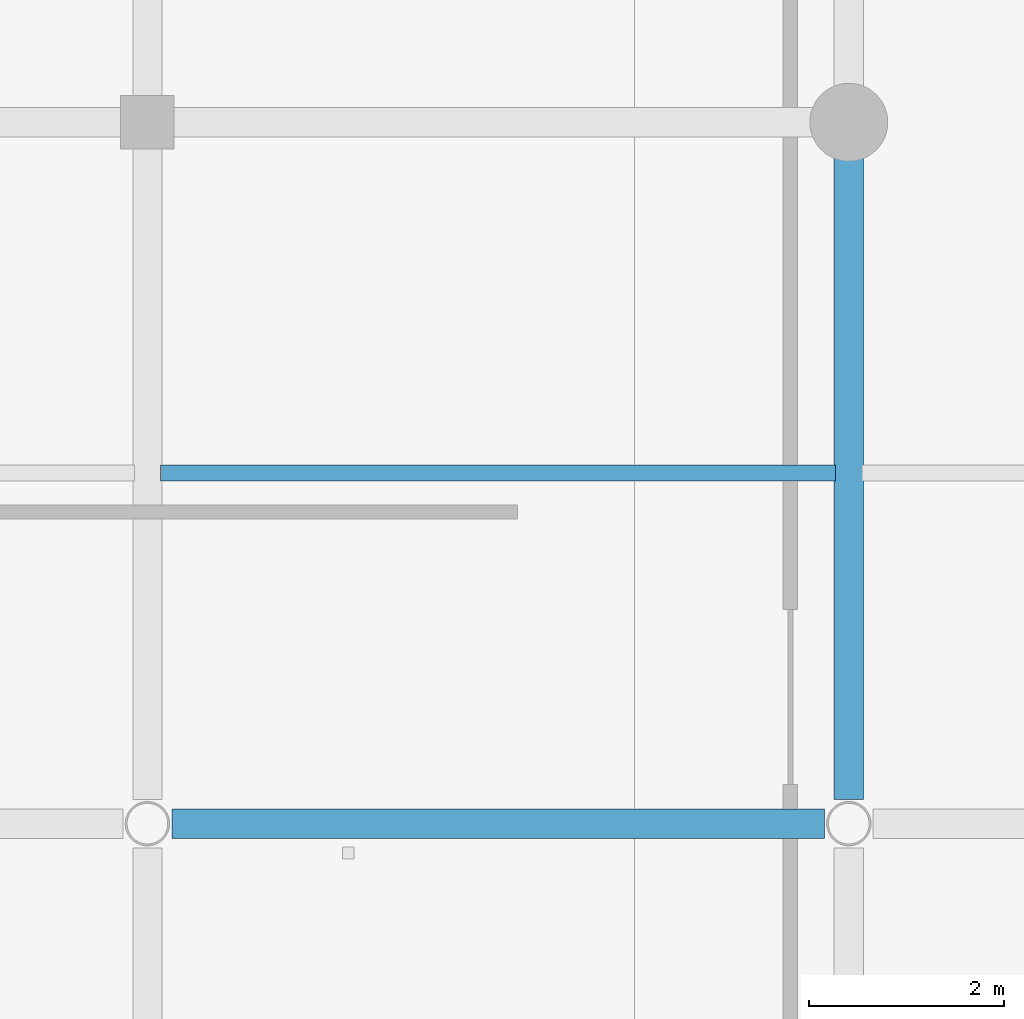
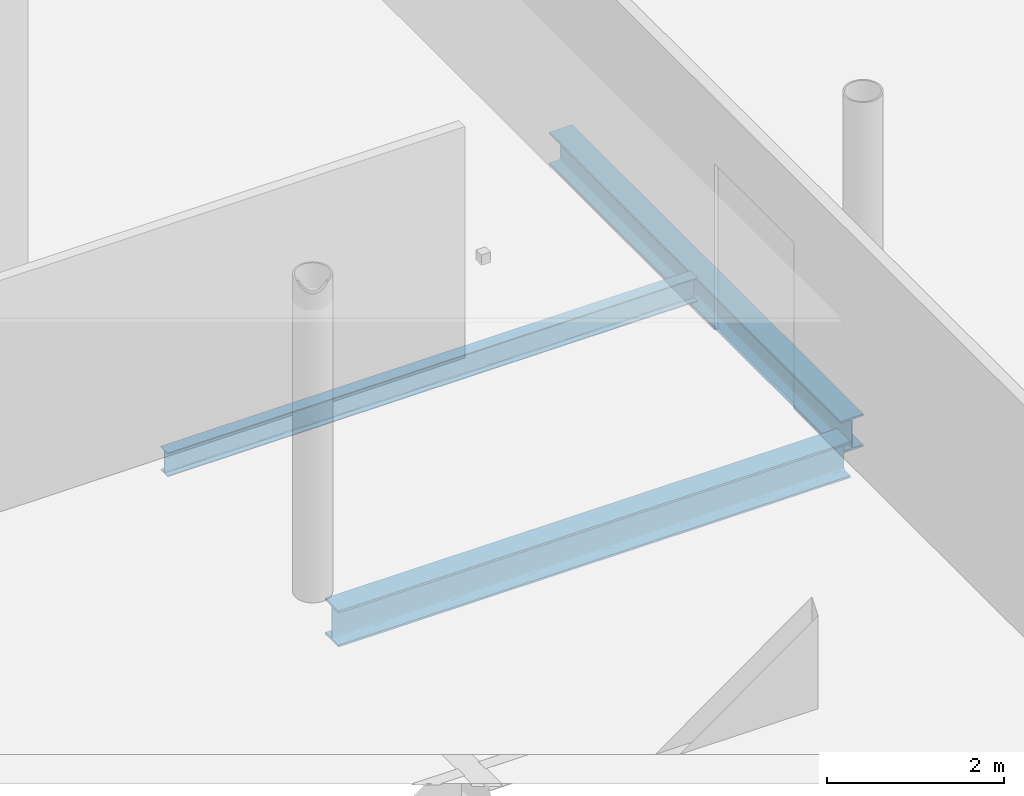
# One storey, part 33 of 81: 3 beams.
"""IFC4 building model written with IfcOpenShell, lengths in metres."""

from ifc_helpers import new_model, si_unit, direction, frame, origin, origin_2d, place, context, subcontext, project, spatial, i_section, extrude, material, material_profile, profile_set, type_object, element, save


model = new_model("IFC4")

# Units and contexts
model_context = context("Model", 3, precision=1e-05, world=origin(), true_north=direction((0.0, 1.0)))
body_context = subcontext(model_context, "Body", "Model", "MODEL_VIEW")
ifc_project = project(units=[si_unit("LENGTHUNIT", "METRE"), si_unit("AREAUNIT", "SQUARE_METRE"), si_unit("VOLUMEUNIT", "CUBIC_METRE"), si_unit("PLANEANGLEUNIT", "RADIAN"), si_unit("MASSUNIT", "GRAM", prefix="KILO")], contexts=[model_context])

# Site, building, storey
site_placement = place(None, origin())
site = spatial("IfcSite", under=ifc_project, at=site_placement, CompositionType="ELEMENT")
building_placement = place(site_placement, origin())
building = spatial("IfcBuilding", under=site, at=building_placement, Name="Qandorah Velis Arena", CompositionType="ELEMENT")
storey_placement = place(building_placement, frame((0.0, 0.0, 18.60009765625)))
storey = spatial("IfcBuildingStorey", under=building, at=storey_placement, Name="L04", CompositionType="ELEMENT", Elevation=18.60009765625)

# Beams
ifc_material = material(Name="Steel S355", Category="steel")
ifc_material_profile_1 = material_profile(ifc_material, i_section(OverallWidth=0.300048828125, OverallDepth=0.449951171875, WebThickness=0.013916015625, FlangeThickness=0.02587890625, FilletRadius=0.027099609375, at=origin_2d()), Name="HEB 450")
ifc_profile_set_1 = profile_set([ifc_material_profile_1], Name="Steel S355")
beam_type_1 = type_object("IfcBeamType", Name="STR-BM-HEB450", PredefinedType="BEAM", material=ifc_profile_set_1)
beam_1_placement = place(storey_placement, frame((14.39990234375, 65.050048828125, -0.4951171875), z_axis=(0.0, 1.0, 0.0), x_axis=(-1.0, 0.0, 0.0)))
element("IfcBeam", 1, at=beam_1_placement, inside=storey, type_object=beam_type_1, Name="Primary floor girder L04 Y-176", PredefinedType="BEAM", context=body_context, shape_type="SweptSolid", body=[
    extrude(i_section(OverallWidth=0.300048828125, OverallDepth=0.449951171875, WebThickness=0.013916015625, FlangeThickness=0.02587890625, FilletRadius=0.027099609375, at=origin_2d()), origin(), (0.0, 0.0, 1.0), 6.599853515625),
])
ifc_material_profile_2 = material_profile(ifc_material, i_section(OverallWidth=0.300048828125, OverallDepth=0.5, WebThickness=0.014404296875, FlangeThickness=0.028076171875, FilletRadius=0.027099609375, at=origin_2d()), Name="HEB 500")
ifc_profile_set_2 = profile_set([ifc_material_profile_2], Name="Steel S355")
beam_type_2 = type_object("IfcBeamType", Name="STR-BM-HEB500", PredefinedType="BEAM", material=ifc_profile_set_2)
beam_2_placement = place(storey_placement, frame((7.449951171875, 64.800048828125, -0.52001953125), z_axis=(1.0, 0.0, 0.0), x_axis=(0.0, 1.0, 0.0)))
element("IfcBeam", 2, at=beam_2_placement, inside=storey, type_object=beam_type_2, Name="Primary floor girder L04 X-074", PredefinedType="BEAM", context=body_context, shape_type="SweptSolid", body=[
    extrude(i_section(OverallWidth=0.300048828125, OverallDepth=0.5, WebThickness=0.014404296875, FlangeThickness=0.028076171875, FilletRadius=0.027099609375, at=origin_2d()), origin(), (0.0, 0.0, 1.0), 6.699951171875),
])
ifc_material_profile_3 = material_profile(ifc_material, i_section(OverallWidth=0.159912109375, OverallDepth=0.330078125, WebThickness=0.007568359375, FlangeThickness=0.011474609375, FilletRadius=0.01806640625, at=origin_2d()), Name="IPE 330")
ifc_profile_set_3 = profile_set([ifc_material_profile_3], Name="Steel S355")
beam_type_3 = type_object("IfcBeamType", Name="STR-JST-IPE330", PredefinedType="JOIST", material=ifc_profile_set_3)
beam_3_placement = place(storey_placement, frame((7.3349609375, 68.39990234375, -0.43505859375), z_axis=(1.0, 0.0, 0.0), x_axis=(0.0, 1.0, 0.0)))
element("IfcBeam", 3, at=beam_3_placement, inside=storey, type_object=beam_type_3, Name="Secondary floor joist L04-015", PredefinedType="JOIST", context=body_context, shape_type="SweptSolid", body=[
    extrude(i_section(OverallWidth=0.159912109375, OverallDepth=0.330078125, WebThickness=0.007568359375, FlangeThickness=0.011474609375, FilletRadius=0.01806640625, at=origin_2d()), origin(), (0.0, 0.0, 1.0), 6.929931640625),
])

save(model, "model.ifc")
